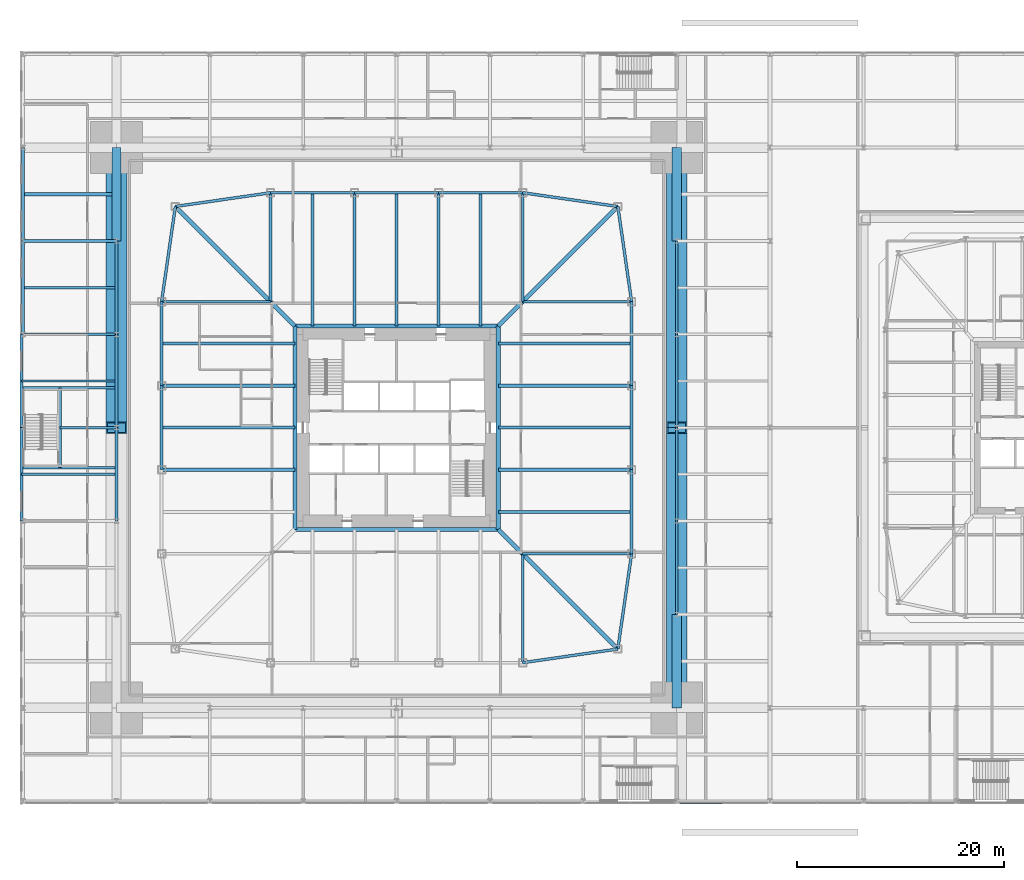
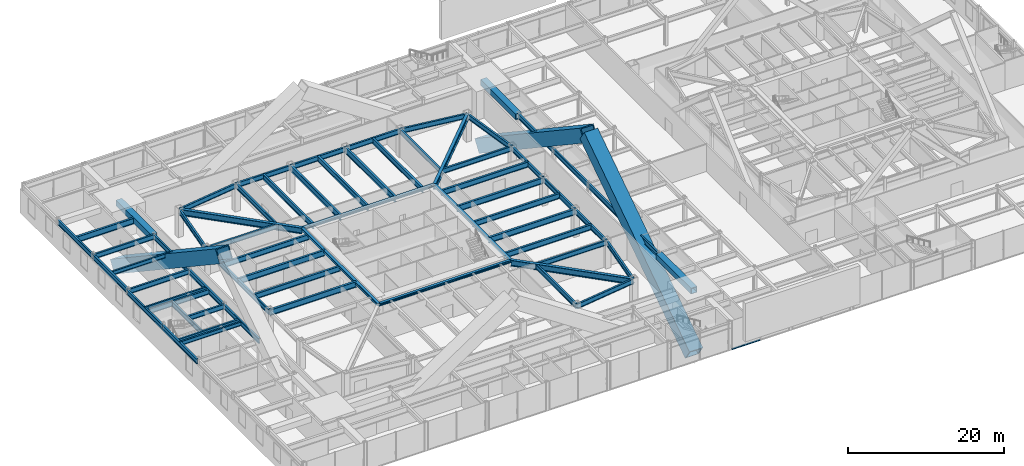
# One storey, part 9 of 32: 65 beams, 4 members, 1 element without a shape of its own.
"""IFC4 building model written with IfcOpenShell, lengths in metres."""

from ifc_helpers import new_model, si_unit, direction, frame, origin, origin_2d, place, context, subcontext, project, spatial, rectangle, hollow_rectangle, i_section, extrude, material, material_profile, profile_set, type_object, element, aggregate, save


model = new_model("IFC4")

# Units and contexts
model_context = context("Model", 3, precision=1e-05, world=origin(), true_north=direction((0.0, 1.0)))
body_context = subcontext(model_context, "Body", "Model", "MODEL_VIEW")
ifc_project = project(units=[si_unit("LENGTHUNIT", "METRE"), si_unit("AREAUNIT", "SQUARE_METRE"), si_unit("VOLUMEUNIT", "CUBIC_METRE"), si_unit("PLANEANGLEUNIT", "RADIAN"), si_unit("MASSUNIT", "GRAM", prefix="KILO")], contexts=[model_context])

# Site, building, storey
site_placement = place(None, origin())
site = spatial("IfcSite", under=ifc_project, at=site_placement, CompositionType="ELEMENT")
building_placement = place(site_placement, origin())
building = spatial("IfcBuilding", under=site, at=building_placement, Name="Iwan Alto Co-Living Towers", CompositionType="ELEMENT")
storey_placement = place(building_placement, frame((0.0, 0.0, 6.0)))
storey = spatial("IfcBuildingStorey", under=building, at=storey_placement, Name="L01", CompositionType="ELEMENT", Elevation=6.0)

# Curtain wall, member
ifc_material_1 = material(Name="Bronze aluminium stick frame", Category="aluminium")
curtain_wall_type = type_object("IfcCurtainWallType", Name="CURTAIN WALL CW-E", PredefinedType="NOTDEFINED", material=ifc_material_1)
curtain_wall_placement = place(storey_placement, origin())
curtain_wall = element("IfcCurtainWall", 1, at=curtain_wall_placement, inside=storey, type_object=curtain_wall_type, Name="Podium curtain wall S L01", PredefinedType="NOTDEFINED")
ifc_material_2 = material(Name="Aluminium 6063-T6 bronze anodised", Category="aluminium")
ifc_material_profile_1 = material_profile(ifc_material_2, rectangle(XDim=0.199951171875, YDim=0.10009765625, at=origin_2d()), Name="AL 200X100")
ifc_profile_set_1 = profile_set([ifc_material_profile_1], Name="Aluminium 6063-T6 bronze anodised")
member_type_1 = type_object("IfcMemberType", Name="CW-E TRANSOM 200X100", PredefinedType="USERDEFINED", material=ifc_profile_set_1)
member_placement = place(storey_placement, frame((27.28564453125, -36.14990234375, 0.050048828125), z_axis=(1.0, 0.0, 0.0), x_axis=(0.0, 1.0, 0.0)))
member = element("IfcMember", 2, at=member_placement, type_object=member_type_1, Name="CW-E transom 1.1", ObjectType="TRANSOM", PredefinedType="USERDEFINED", context=body_context, shape_type="SweptSolid", body=[
    extrude(rectangle(XDim=0.199951171875, YDim=0.10009765625, at=origin_2d()), origin(), (0.0, 0.0, 1.0), 4.17431640625),
])
aggregate(curtain_wall, [member])

# Beams
ifc_material_3 = material(Name="Steel ASTM A992 Gr 50", Category="steel")
ifc_material_profile_2 = material_profile(ifc_material_3, i_section(OverallWidth=0.2666015625, OverallDepth=0.76953125, WebThickness=0.015625, FlangeThickness=0.025390625, at=origin_2d()), Name="W30X132")
ifc_profile_set_2 = profile_set([ifc_material_profile_2], Name="Steel ASTM A992 Gr 50")
beam_type_1 = type_object("IfcBeamType", Name="PODIUM BEAM W30X132", PredefinedType="BEAM", material=ifc_profile_set_2)
for number, where, z_axis, x_axis, name in (
    (3, (-36.1533203125, -9.0, 3.865234375), (0.0, 1.0, 0.0), (-1.0, 0.0, 0.0), "Podium beam 1/D-1/E L02"),
    (4, (-36.1533203125, 0.0, 3.865234375), (0.0, 1.0, 0.0), (-1.0, 0.0, 0.0), "Podium beam 1/E-1/F L02"),
    (5, (-36.0, 9.0, 3.865234375), (1.0, 0.0, 0.0), (0.0, 1.0, 0.0), "Podium beam 1/F-2/F L02"),
    (6, (-36.0, 9.0, 3.865234375), (0.0, 1.0, 0.0), (-1.0, 0.0, 0.0), "Podium beam 1/F-1/G L02"),
    (7, (-36.0, 18.0, 3.865234375), (1.0, 0.0, 0.0), (0.0, 1.0, 0.0), "Podium beam 1/G-2/G L02"),
    (8, (-36.0, 18.0, 3.865234375), (0.0, 1.0, 0.0), (-1.0, 0.0, 0.0), "Podium beam 1/G-1/H L02"),
    (9, (-27.0, -9.0, 3.865234375), (0.0, 1.0, 0.0), (-1.0, 0.0, 0.0), "Podium beam 2/D-2/E L02"),
    (10, (-27.0, 0.0, 3.865234375), (0.0, 1.0, 0.0), (-1.0, 0.0, 0.0), "Podium beam 2/E-2/F L02"),
    (11, (-27.0, 9.0, 3.865234375), (0.0, 1.0, 0.0), (-1.0, 0.0, 0.0), "Podium beam 2/F-2/G L02"),
    (12, (27.0, -18.0, 3.865234375), (0.0, 1.0, 0.0), (-1.0, 0.0, 0.0), "Podium beam 8/C-8/D L02"),
    (13, (27.0, -9.0, 3.865234375), (0.0, 1.0, 0.0), (-1.0, 0.0, 0.0), "Podium beam 8/D-8/E L02"),
    (14, (27.0, 0.0, 3.865234375), (0.0, 1.0, 0.0), (-1.0, 0.0, 0.0), "Podium beam 8/E-8/F L02"),
    (15, (27.0, 9.0, 3.865234375), (0.0, 1.0, 0.0), (-1.0, 0.0, 0.0), "Podium beam 8/F-8/G L02"),
):
    element("IfcBeam", number, at=place(storey_placement, frame(where, z_axis=z_axis, x_axis=x_axis)), inside=storey, type_object=beam_type_1, Name=name, PredefinedType="BEAM", context=body_context, shape_type="SweptSolid", body=[
        extrude(i_section(OverallWidth=0.2666015625, OverallDepth=0.76953125, WebThickness=0.015625, FlangeThickness=0.025390625, at=origin_2d()), origin(), (0.0, 0.0, 1.0), 9.0),
    ])
beam_1_placement = place(storey_placement, frame((-27.0, 0.0, 3.865234375), z_axis=(-1.0, 0.0, 0.0), x_axis=(0.0, -1.0, 0.0)))
element("IfcBeam", 16, at=beam_1_placement, inside=storey, type_object=beam_type_1, Name="Podium beam 2/E to stair header L02", PredefinedType="BEAM", context=body_context, shape_type="SweptSolid", body=[
    extrude(i_section(OverallWidth=0.2666015625, OverallDepth=0.76953125, WebThickness=0.015625, FlangeThickness=0.025390625, at=origin_2d()), origin(), (0.0, 0.0, 1.0), 5.446533203125),
])
ifc_material_4 = material(Name="Steel ASTM A992 Gr 50", Category="steel")
ifc_material_profile_3 = material_profile(ifc_material_4, i_section(OverallWidth=0.307373046875, OverallDepth=0.927001953125, WebThickness=0.01953125, FlangeThickness=0.031982421875, at=origin_2d()), Name="W36X194")
ifc_profile_set_3 = profile_set([ifc_material_profile_3], Name="Steel ASTM A992 Gr 50")
beam_type_2 = type_object("IfcBeamType", Name="PODIUM PIER BAY SECONDARY BEAM W36X194", PredefinedType="JOIST", material=ifc_profile_set_3)
beam_2_placement = place(storey_placement, frame((-35.86669921875, 22.5, 3.786376953125), z_axis=(1.0, 0.0, 0.0), x_axis=(0.0, 1.0, 0.0)))
element("IfcBeam", 17, at=beam_2_placement, inside=storey, type_object=beam_type_2, Name="Podium secondary beam 1/G L02", PredefinedType="JOIST", context=body_context, shape_type="SweptSolid", body=[
    extrude(i_section(OverallWidth=0.307373046875, OverallDepth=0.927001953125, WebThickness=0.01953125, FlangeThickness=0.031982421875, at=origin_2d()), origin(), (0.0, 0.0, 1.0), 8.416748046875),
])
ifc_material_5 = material(Name="Steel ASTM A572 Gr 50", Category="steel")
ifc_material_profile_4 = material_profile(ifc_material_5, hollow_rectangle(XDim=0.89990234375, YDim=0.89990234375, WallThickness=0.06005859375, at=origin_2d()), Name="BOX 900X900X60")
ifc_profile_set_4 = profile_set([ifc_material_profile_4], Name="Steel ASTM A572 Gr 50")
beam_type_3 = type_object("IfcBeamType", Name="PODIUM PIER BEAM BOX 900X900X60", PredefinedType="BEAM", material=ifc_profile_set_4)
for number, where, z_axis, x_axis, name in (
    (18, (-27.0, 18.0, 3.800048828125), (0.0, 1.0, 0.0), (-1.0, 0.0, 0.0), "Podium beam 2/G-2/H L02"),
    (19, (27.0, -27.0, 3.800048828125), (0.0, 1.0, 0.0), (-1.0, 0.0, 0.0), "Podium beam 8/B-8/C L02"),
    (20, (27.0, 18.0, 3.800048828125), (0.0, 1.0, 0.0), (-1.0, 0.0, 0.0), "Podium beam 8/G-8/H L02"),
):
    element("IfcBeam", number, at=place(storey_placement, frame(where, z_axis=z_axis, x_axis=x_axis)), inside=storey, type_object=beam_type_3, Name=name, PredefinedType="BEAM", context=body_context, shape_type="SweptSolid", body=[
        extrude(hollow_rectangle(XDim=0.89990234375, YDim=0.89990234375, WallThickness=0.06005859375, at=origin_2d()), origin(), (0.0, 0.0, 1.0), 9.0),
    ])
ifc_material_6 = material(Name="Steel ASTM A992 Gr 50", Category="steel")
ifc_material_profile_5 = material_profile(ifc_material_6, i_section(OverallWidth=0.23046875, OverallDepth=0.6171875, WebThickness=0.01318359375, FlangeThickness=0.022216796875, at=origin_2d()), Name="W24X94")
ifc_profile_set_5 = profile_set([ifc_material_profile_5], Name="Steel ASTM A992 Gr 50")
beam_type_4 = type_object("IfcBeamType", Name="PODIUM SECONDARY BEAM W24X94", PredefinedType="JOIST", material=ifc_profile_set_5)
for number, where, z_axis, x_axis, name in (
    (21, (-36.1533203125, -4.5, 3.94140625), (1.0, 0.0, 0.0), (0.0, 1.0, 0.0), "Podium secondary beam 1/D L02"),
    (22, (-36.1533203125, 4.5, 3.94140625), (1.0, 0.0, 0.0), (0.0, 1.0, 0.0), "Podium secondary beam 1/E L02"),
):
    element("IfcBeam", number, at=place(storey_placement, frame(where, z_axis=z_axis, x_axis=x_axis)), inside=storey, type_object=beam_type_4, Name=name, PredefinedType="JOIST", context=body_context, shape_type="SweptSolid", body=[
        extrude(i_section(OverallWidth=0.23046875, OverallDepth=0.6171875, WebThickness=0.01318359375, FlangeThickness=0.022216796875, at=origin_2d()), origin(), (0.0, 0.0, 1.0), 9.02001953125),
    ])
beam_3_placement = place(storey_placement, frame((-35.86669921875, 13.5, 3.94140625), z_axis=(1.0, 0.0, 0.0), x_axis=(0.0, 1.0, 0.0)))
element("IfcBeam", 23, at=beam_3_placement, inside=storey, type_object=beam_type_4, Name="Podium secondary beam 1/F L02", PredefinedType="JOIST", context=body_context, shape_type="SweptSolid", body=[
    extrude(i_section(OverallWidth=0.23046875, OverallDepth=0.6171875, WebThickness=0.01318359375, FlangeThickness=0.022216796875, at=origin_2d()), origin(), (0.0, 0.0, 1.0), 8.7333984375),
])
ifc_material_7 = material(Name="Steel ASTM A992 Gr 50", Category="steel")
ifc_material_profile_6 = material_profile(ifc_material_7, i_section(OverallWidth=0.2666015625, OverallDepth=0.76953125, WebThickness=0.015625, FlangeThickness=0.025390625, at=origin_2d()), Name="W30X132")
ifc_profile_set_6 = profile_set([ifc_material_profile_6], Name="Steel ASTM A992 Gr 50")
beam_type_5 = type_object("IfcBeamType", Name="PODIUM STAIR HEADER BEAM W30X132", PredefinedType="BEAM", material=ifc_profile_set_6)
beam_4_placement = place(storey_placement, frame((-32.446533203125, -3.853271484375, 3.865234375), z_axis=(0.0, 1.0, 0.0), x_axis=(-1.0, 0.0, 0.0)))
element("IfcBeam", 24, at=beam_4_placement, inside=storey, type_object=beam_type_5, Name="Podium stair header 1/E-2/E L02", PredefinedType="BEAM", context=body_context, shape_type="SweptSolid", body=[
    extrude(i_section(OverallWidth=0.2666015625, OverallDepth=0.76953125, WebThickness=0.015625, FlangeThickness=0.025390625, at=origin_2d()), origin(), (0.0, 0.0, 1.0), 7.70654296875),
])
ifc_material_8 = material(Name="Steel ASTM A992 Gr 50", Category="steel")
ifc_material_profile_7 = material_profile(ifc_material_8, i_section(OverallWidth=0.2666015625, OverallDepth=0.76953125, WebThickness=0.015625, FlangeThickness=0.025390625, at=origin_2d()), Name="W30X132")
ifc_profile_set_7 = profile_set([ifc_material_profile_7], Name="Steel ASTM A992 Gr 50")
beam_type_6 = type_object("IfcBeamType", Name="PODIUM STAIR TRIMMER BEAM W30X132", PredefinedType="BEAM", material=ifc_profile_set_7)
for number, where, z_axis, x_axis, name in (
    (25, (-36.1533203125, -3.853271484375, 3.865234375), (1.0, 0.0, 0.0), (0.0, 1.0, 0.0), "Podium stair trimmer 1/E-2/E S L02"),
    (26, (-36.1533203125, 3.853271484375, 3.865234375), (1.0, 0.0, 0.0), (0.0, 1.0, 0.0), "Podium stair trimmer 1/E-2/E N L02"),
):
    element("IfcBeam", number, at=place(storey_placement, frame(where, z_axis=z_axis, x_axis=x_axis)), inside=storey, type_object=beam_type_6, Name=name, PredefinedType="BEAM", context=body_context, shape_type="SweptSolid", body=[
        extrude(i_section(OverallWidth=0.2666015625, OverallDepth=0.76953125, WebThickness=0.015625, FlangeThickness=0.025390625, at=origin_2d()), origin(), (0.0, 0.0, 1.0), 9.1533203125),
    ])
ifc_material_9 = material(Name="Steel ASTM A992 Gr 50", Category="steel")
ifc_material_profile_8 = material_profile(ifc_material_9, i_section(OverallWidth=0.40380859375, OverallDepth=0.406494140625, WebThickness=0.027099609375, FlangeThickness=0.043701171875, at=origin_2d()), Name="W14X233")
ifc_profile_set_8 = profile_set([ifc_material_profile_8], Name="Steel ASTM A992 Gr 50")
beam_type_7 = type_object("IfcBeamType", Name="T1 CORE LEDGER BEAM W14X233", PredefinedType="BEAM", material=ifc_profile_set_8)
for number, where, z_axis, x_axis, name in (
    (27, (-9.802001953125, -9.802001953125, 4.046875), (1.0, 0.0, 0.0), (0.0, 1.0, 0.0), "T1 core ledger beam S L02"),
    (28, (9.802001953125, -9.802001953125, 4.046875), (0.0, 1.0, 0.0), (-1.0, 0.0, 0.0), "T1 core ledger beam E L02"),
    (29, (9.802001953125, 9.802001953125, 4.046875), (-1.0, 0.0, 0.0), (0.0, -1.0, 0.0), "T1 core ledger beam N L02"),
    (30, (-9.802001953125, 9.802001953125, 4.046875), (0.0, -1.0, 0.0), (1.0, 0.0, 0.0), "T1 core ledger beam W L02"),
):
    element("IfcBeam", number, at=place(storey_placement, frame(where, z_axis=z_axis, x_axis=x_axis)), inside=storey, type_object=beam_type_7, Name=name, PredefinedType="BEAM", context=body_context, shape_type="SweptSolid", body=[
        extrude(i_section(OverallWidth=0.40380859375, OverallDepth=0.406494140625, WebThickness=0.027099609375, FlangeThickness=0.043701171875, at=origin_2d()), origin(), (0.0, 0.0, 1.0), 19.60400390625),
    ])
ifc_material_10 = material(Name="Steel ASTM A992 Gr 50", Category="steel")
ifc_material_profile_9 = material_profile(ifc_material_10, i_section(OverallWidth=0.424072265625, OverallDepth=0.947509765625, WebThickness=0.02392578125, FlangeThickness=0.042724609375, at=origin_2d()), Name="W36X302")
ifc_profile_set_9 = profile_set([ifc_material_profile_9], Name="Steel ASTM A992 Gr 50")
beam_type_8 = type_object("IfcBeamType", Name="T1 CORNER GIRDER W36X302", PredefinedType="BEAM", material=ifc_profile_set_9)
for number, where, z_axis, x_axis, name in (
    (31, (21.32568359375, -21.32568359375, 3.7763671875), (-0.707106781187, 0.707106781187, 0.0), (-0.707106781187, -0.707106781187, 0.0), "T1 corner girder CSE L02"),
    (32, (21.32568359375, 21.32568359375, 3.7763671875), (-0.707106781187, -0.707106781187, 0.0), (0.707106781187, -0.707106781187, 0.0), "T1 corner girder CNE L02"),
    (33, (-21.32568359375, 21.32568359375, 3.7763671875), (0.707106781187, -0.707106781187, 0.0), (0.707106781187, 0.707106781187, 0.0), "T1 corner girder CNW L02"),
):
    element("IfcBeam", number, at=place(storey_placement, frame(where, z_axis=z_axis, x_axis=x_axis)), inside=storey, type_object=beam_type_8, Name=name, PredefinedType="BEAM", context=body_context, shape_type="SweptSolid", body=[
        extrude(i_section(OverallWidth=0.424072265625, OverallDepth=0.947509765625, WebThickness=0.02392578125, FlangeThickness=0.042724609375, at=origin_2d()), origin(), (0.0, 0.0, 1.0), 16.296875),
    ])
ifc_material_11 = material(Name="Steel ASTM A992 Gr 50", Category="steel")
ifc_material_profile_10 = material_profile(ifc_material_11, i_section(OverallWidth=0.2666015625, OverallDepth=0.761962890625, WebThickness=0.014404296875, FlangeThickness=0.021484375, at=origin_2d()), Name="W30X116")
ifc_profile_set_10 = profile_set([ifc_material_profile_10], Name="Steel ASTM A992 Gr 50")
beam_type_9 = type_object("IfcBeamType", Name="T1 EDGE BEAM W30X116", PredefinedType="BEAM", material=ifc_profile_set_10)
for number, where, z_axis, x_axis, name in (
    (34, (12.14990234375, -22.64990234375, 3.868896484375), (0.989746234347, 0.142836940589, 0.0), (-0.142836940589, 0.989746234347, 0.0), "T1 edge beam S4 L02"),
    (35, (21.32568359375, -21.32568359375, 3.868896484375), (0.142836940589, 0.989746234347, 0.0), (-0.989746234347, 0.142836940589, 0.0), "T1 edge beam CSE L02"),
):
    element("IfcBeam", number, at=place(storey_placement, frame(where, z_axis=z_axis, x_axis=x_axis)), inside=storey, type_object=beam_type_9, Name=name, PredefinedType="BEAM", context=body_context, shape_type="SweptSolid", body=[
        extrude(i_section(OverallWidth=0.2666015625, OverallDepth=0.761962890625, WebThickness=0.014404296875, FlangeThickness=0.021484375, at=origin_2d()), origin(), (0.0, 0.0, 1.0), 9.270751953125),
    ])
beam_5_placement = place(storey_placement, frame((22.64990234375, -12.14990234375, 3.868896484375), z_axis=(0.0, 1.0, 0.0), x_axis=(-1.0, 0.0, 0.0)))
element("IfcBeam", 36, at=beam_5_placement, inside=storey, type_object=beam_type_9, Name="T1 edge beam E1 L02", PredefinedType="BEAM", context=body_context, shape_type="SweptSolid", body=[
    extrude(i_section(OverallWidth=0.2666015625, OverallDepth=0.761962890625, WebThickness=0.014404296875, FlangeThickness=0.021484375, at=origin_2d()), origin(), (0.0, 0.0, 1.0), 8.099853515625),
])
beam_6_placement = place(storey_placement, frame((22.64990234375, -4.050048828125, 3.868896484375), z_axis=(0.0, 1.0, 0.0), x_axis=(-1.0, 0.0, 0.0)))
element("IfcBeam", 37, at=beam_6_placement, inside=storey, type_object=beam_type_9, Name="T1 edge beam E2 L02", PredefinedType="BEAM", context=body_context, shape_type="SweptSolid", body=[
    extrude(i_section(OverallWidth=0.2666015625, OverallDepth=0.761962890625, WebThickness=0.014404296875, FlangeThickness=0.021484375, at=origin_2d()), origin(), (0.0, 0.0, 1.0), 8.10009765625),
])
beam_7_placement = place(storey_placement, frame((22.64990234375, 4.050048828125, 3.868896484375), z_axis=(0.0, 1.0, 0.0), x_axis=(-1.0, 0.0, 0.0)))
element("IfcBeam", 38, at=beam_7_placement, inside=storey, type_object=beam_type_9, Name="T1 edge beam E3 L02", PredefinedType="BEAM", context=body_context, shape_type="SweptSolid", body=[
    extrude(i_section(OverallWidth=0.2666015625, OverallDepth=0.761962890625, WebThickness=0.014404296875, FlangeThickness=0.021484375, at=origin_2d()), origin(), (0.0, 0.0, 1.0), 8.099853515625),
])
for number, where, z_axis, x_axis, name in (
    (39, (22.64990234375, 12.14990234375, 3.868896484375), (-0.142836940589, 0.989746234347, 0.0), (-0.989746234347, -0.142836940589, 0.0), "T1 edge beam E4 L02"),
    (40, (21.32568359375, 21.32568359375, 3.868896484375), (-0.989746234347, 0.142836940589, 0.0), (-0.142836940589, -0.989746234347, 0.0), "T1 edge beam CNE L02"),
):
    element("IfcBeam", number, at=place(storey_placement, frame(where, z_axis=z_axis, x_axis=x_axis)), inside=storey, type_object=beam_type_9, Name=name, PredefinedType="BEAM", context=body_context, shape_type="SweptSolid", body=[
        extrude(i_section(OverallWidth=0.2666015625, OverallDepth=0.761962890625, WebThickness=0.014404296875, FlangeThickness=0.021484375, at=origin_2d()), origin(), (0.0, 0.0, 1.0), 9.270751953125),
    ])
beam_8_placement = place(storey_placement, frame((12.14990234375, 22.64990234375, 3.868896484375), z_axis=(-1.0, 0.0, 0.0), x_axis=(0.0, -1.0, 0.0)))
element("IfcBeam", 41, at=beam_8_placement, inside=storey, type_object=beam_type_9, Name="T1 edge beam N1 L02", PredefinedType="BEAM", context=body_context, shape_type="SweptSolid", body=[
    extrude(i_section(OverallWidth=0.2666015625, OverallDepth=0.761962890625, WebThickness=0.014404296875, FlangeThickness=0.021484375, at=origin_2d()), origin(), (0.0, 0.0, 1.0), 8.099853515625),
])
beam_9_placement = place(storey_placement, frame((4.050048828125, 22.64990234375, 3.868896484375), z_axis=(-1.0, 0.0, 0.0), x_axis=(0.0, -1.0, 0.0)))
element("IfcBeam", 42, at=beam_9_placement, inside=storey, type_object=beam_type_9, Name="T1 edge beam N2 L02", PredefinedType="BEAM", context=body_context, shape_type="SweptSolid", body=[
    extrude(i_section(OverallWidth=0.2666015625, OverallDepth=0.761962890625, WebThickness=0.014404296875, FlangeThickness=0.021484375, at=origin_2d()), origin(), (0.0, 0.0, 1.0), 8.10009765625),
])
beam_10_placement = place(storey_placement, frame((-4.050048828125, 22.64990234375, 3.868896484375), z_axis=(-1.0, 0.0, 0.0), x_axis=(0.0, -1.0, 0.0)))
element("IfcBeam", 43, at=beam_10_placement, inside=storey, type_object=beam_type_9, Name="T1 edge beam N3 L02", PredefinedType="BEAM", context=body_context, shape_type="SweptSolid", body=[
    extrude(i_section(OverallWidth=0.2666015625, OverallDepth=0.761962890625, WebThickness=0.014404296875, FlangeThickness=0.021484375, at=origin_2d()), origin(), (0.0, 0.0, 1.0), 8.099853515625),
])
for number, where, z_axis, x_axis, name in (
    (44, (-12.14990234375, 22.64990234375, 3.868896484375), (-0.989746234347, -0.142836940589, 0.0), (0.142836940589, -0.989746234347, 0.0), "T1 edge beam N4 L02"),
    (45, (-21.32568359375, 21.32568359375, 3.868896484375), (-0.142836940589, -0.989746234347, 0.0), (0.989746234347, -0.142836940589, 0.0), "T1 edge beam CNW L02"),
):
    element("IfcBeam", number, at=place(storey_placement, frame(where, z_axis=z_axis, x_axis=x_axis)), inside=storey, type_object=beam_type_9, Name=name, PredefinedType="BEAM", context=body_context, shape_type="SweptSolid", body=[
        extrude(i_section(OverallWidth=0.2666015625, OverallDepth=0.761962890625, WebThickness=0.014404296875, FlangeThickness=0.021484375, at=origin_2d()), origin(), (0.0, 0.0, 1.0), 9.270751953125),
    ])
beam_11_placement = place(storey_placement, frame((-22.64990234375, 12.14990234375, 3.868896484375), z_axis=(0.0, -1.0, 0.0), x_axis=(1.0, 0.0, 0.0)))
element("IfcBeam", 46, at=beam_11_placement, inside=storey, type_object=beam_type_9, Name="T1 edge beam W1 L02", PredefinedType="BEAM", context=body_context, shape_type="SweptSolid", body=[
    extrude(i_section(OverallWidth=0.2666015625, OverallDepth=0.761962890625, WebThickness=0.014404296875, FlangeThickness=0.021484375, at=origin_2d()), origin(), (0.0, 0.0, 1.0), 8.099853515625),
])
beam_12_placement = place(storey_placement, frame((-22.64990234375, 4.050048828125, 3.868896484375), z_axis=(0.0, -1.0, 0.0), x_axis=(1.0, 0.0, 0.0)))
element("IfcBeam", 47, at=beam_12_placement, inside=storey, type_object=beam_type_9, Name="T1 edge beam W2 L02", PredefinedType="BEAM", context=body_context, shape_type="SweptSolid", body=[
    extrude(i_section(OverallWidth=0.2666015625, OverallDepth=0.761962890625, WebThickness=0.014404296875, FlangeThickness=0.021484375, at=origin_2d()), origin(), (0.0, 0.0, 1.0), 8.10009765625),
])

# Members
ifc_material_12 = material(Name="Steel ASTM A572 Gr 42", Category="steel")
ifc_material_profile_11 = material_profile(ifc_material_12, hollow_rectangle(XDim=2.0, YDim=2.0, WallThickness=0.139892578125, at=origin_2d()), Name="BOX 2000X2000X140")
ifc_profile_set_11 = profile_set([ifc_material_profile_11], Name="Steel ASTM A572 Gr 42")
member_type_2 = type_object("IfcMemberType", Name="T1 MEGA BRACE BOX 2000X2000X140", PredefinedType="BRACE", material=ifc_profile_set_11)
for number, where, z_axis, x_axis, name in (
    (48, (27.0, -27.0, -6.0), (0.0, 0.832050294338, 0.554700196225), (-1.0, 0.0, 0.0), "T1 mega brace Z1A E 1 lower"),
    (49, (27.0, 27.0, -6.0), (0.0, -0.832050294338, 0.554700196225), (1.0, 0.0, 0.0), "T1 mega brace Z1A E 2 lower"),
    (50, (-27.0, 27.0, -6.0), (0.0, -0.832050294338, 0.554700196225), (1.0, 0.0, 0.0), "T1 mega brace Z1A W 1 lower"),
):
    element("IfcMember", number, at=place(storey_placement, frame(where, z_axis=z_axis, x_axis=x_axis)), inside=storey, type_object=member_type_2, Name=name, PredefinedType="BRACE", context=body_context, shape_type="SweptSolid", body=[
        extrude(hollow_rectangle(XDim=2.0, YDim=2.0, WallThickness=0.139892578125, at=origin_2d()), origin(), (0.0, 0.0, 1.0), 32.449951171875),
    ])

# Beams
ifc_material_13 = material(Name="Steel ASTM A992 Gr 50", Category="steel")
ifc_material_profile_12 = material_profile(ifc_material_13, i_section(OverallWidth=0.2666015625, OverallDepth=0.761962890625, WebThickness=0.014404296875, FlangeThickness=0.021484375, at=origin_2d()), Name="W30X116")
ifc_profile_set_12 = profile_set([ifc_material_profile_12], Name="Steel ASTM A992 Gr 50")
beam_type_10 = type_object("IfcBeamType", Name="T1 RADIAL BEAM W30X116", PredefinedType="BEAM", material=ifc_profile_set_12)
for number, where, z_axis, x_axis, name in (
    (51, (12.14990234375, -22.64990234375, 3.868896484375), (0.0, 1.0, 0.0), (-1.0, 0.0, 0.0), "T1 radial beam S4 L02"),
    (52, (22.64990234375, -12.14990234375, 3.868896484375), (-1.0, 0.0, 0.0), (0.0, -1.0, 0.0), "T1 radial beam E1 L02"),
    (53, (22.64990234375, 12.14990234375, 3.868896484375), (-1.0, 0.0, 0.0), (0.0, -1.0, 0.0), "T1 radial beam E4 L02"),
    (54, (12.14990234375, 22.64990234375, 3.868896484375), (0.0, -1.0, 0.0), (1.0, 0.0, 0.0), "T1 radial beam N1 L02"),
    (55, (-12.14990234375, 22.64990234375, 3.868896484375), (0.0, -1.0, 0.0), (1.0, 0.0, 0.0), "T1 radial beam N4 L02"),
    (56, (-22.64990234375, 12.14990234375, 3.868896484375), (1.0, 0.0, 0.0), (0.0, 1.0, 0.0), "T1 radial beam W1 L02"),
):
    element("IfcBeam", number, at=place(storey_placement, frame(where, z_axis=z_axis, x_axis=x_axis)), inside=storey, type_object=beam_type_10, Name=name, PredefinedType="BEAM", context=body_context, shape_type="SweptSolid", body=[
        extrude(i_section(OverallWidth=0.2666015625, OverallDepth=0.761962890625, WebThickness=0.014404296875, FlangeThickness=0.021484375, at=origin_2d()), origin(), (0.0, 0.0, 1.0), 10.5),
    ])
ifc_material_14 = material(Name="Steel ASTM A992 Gr 50", Category="steel")
ifc_material_profile_13 = material_profile(ifc_material_14, i_section(OverallWidth=0.3046875, OverallDepth=0.911865234375, WebThickness=0.015869140625, FlangeThickness=0.02392578125, at=origin_2d()), Name="W36X150")
ifc_profile_set_13 = profile_set([ifc_material_profile_13], Name="Steel ASTM A992 Gr 50")
beam_type_11 = type_object("IfcBeamType", Name="T1 RADIAL BEAM W36X150", PredefinedType="BEAM", material=ifc_profile_set_13)
for number, where, z_axis, x_axis, name in (
    (57, (22.64990234375, -4.050048828125, 3.794189453125), (-1.0, 0.0, 0.0), (0.0, -1.0, 0.0), "T1 radial beam E2 L02"),
    (58, (22.64990234375, 4.050048828125, 3.794189453125), (-1.0, 0.0, 0.0), (0.0, -1.0, 0.0), "T1 radial beam E3 L02"),
    (59, (4.050048828125, 22.64990234375, 3.794189453125), (0.0, -1.0, 0.0), (1.0, 0.0, 0.0), "T1 radial beam N2 L02"),
    (60, (-4.050048828125, 22.64990234375, 3.794189453125), (0.0, -1.0, 0.0), (1.0, 0.0, 0.0), "T1 radial beam N3 L02"),
    (61, (-22.64990234375, 4.050048828125, 3.794189453125), (1.0, 0.0, 0.0), (0.0, 1.0, 0.0), "T1 radial beam W2 L02"),
    (62, (-22.64990234375, -4.050048828125, 3.794189453125), (1.0, 0.0, 0.0), (0.0, 1.0, 0.0), "T1 radial beam W3 L02"),
):
    element("IfcBeam", number, at=place(storey_placement, frame(where, z_axis=z_axis, x_axis=x_axis)), inside=storey, type_object=beam_type_11, Name=name, PredefinedType="BEAM", context=body_context, shape_type="SweptSolid", body=[
        extrude(i_section(OverallWidth=0.3046875, OverallDepth=0.911865234375, WebThickness=0.015869140625, FlangeThickness=0.02392578125, at=origin_2d()), origin(), (0.0, 0.0, 1.0), 12.847900390625),
    ])
ifc_material_15 = material(Name="Steel ASTM A992 Gr 50", Category="steel")
ifc_material_profile_14 = material_profile(ifc_material_15, i_section(OverallWidth=0.2919921875, OverallDepth=0.8408203125, WebThickness=0.0146484375, FlangeThickness=0.021728515625, at=origin_2d()), Name="W33X130")
ifc_profile_set_14 = profile_set([ifc_material_profile_14], Name="Steel ASTM A992 Gr 50")
beam_type_12 = type_object("IfcBeamType", Name="T1 SECONDARY BEAM W33X130", PredefinedType="JOIST", material=ifc_profile_set_14)
for number, where, z_axis, x_axis, name in (
    (63, (22.64990234375, -8.10009765625, 3.82958984375), (-1.0, 0.0, 0.0), (0.0, -1.0, 0.0), "T1 secondary beam E1 L02"),
    (64, (22.64990234375, 0.0, 3.82958984375), (-1.0, 0.0, 0.0), (0.0, -1.0, 0.0), "T1 secondary beam E2 L02"),
    (65, (22.64990234375, 8.10009765625, 3.82958984375), (-1.0, 0.0, 0.0), (0.0, -1.0, 0.0), "T1 secondary beam E3 L02"),
    (66, (8.10009765625, 22.64990234375, 3.82958984375), (0.0, -1.0, 0.0), (1.0, 0.0, 0.0), "T1 secondary beam N1 L02"),
    (67, (0.0, 22.64990234375, 3.82958984375), (0.0, -1.0, 0.0), (1.0, 0.0, 0.0), "T1 secondary beam N2 L02"),
    (68, (-8.10009765625, 22.64990234375, 3.82958984375), (0.0, -1.0, 0.0), (1.0, 0.0, 0.0), "T1 secondary beam N3 L02"),
    (69, (-22.64990234375, 8.10009765625, 3.82958984375), (1.0, 0.0, 0.0), (0.0, 1.0, 0.0), "T1 secondary beam W1 L02"),
    (70, (-22.64990234375, 0.0, 3.82958984375), (1.0, 0.0, 0.0), (0.0, 1.0, 0.0), "T1 secondary beam W2 L02"),
):
    element("IfcBeam", number, at=place(storey_placement, frame(where, z_axis=z_axis, x_axis=x_axis)), inside=storey, type_object=beam_type_12, Name=name, PredefinedType="JOIST", context=body_context, shape_type="SweptSolid", body=[
        extrude(i_section(OverallWidth=0.2919921875, OverallDepth=0.8408203125, WebThickness=0.0146484375, FlangeThickness=0.021728515625, at=origin_2d()), origin(), (0.0, 0.0, 1.0), 12.847900390625),
    ])

save(model, "model.ifc")
